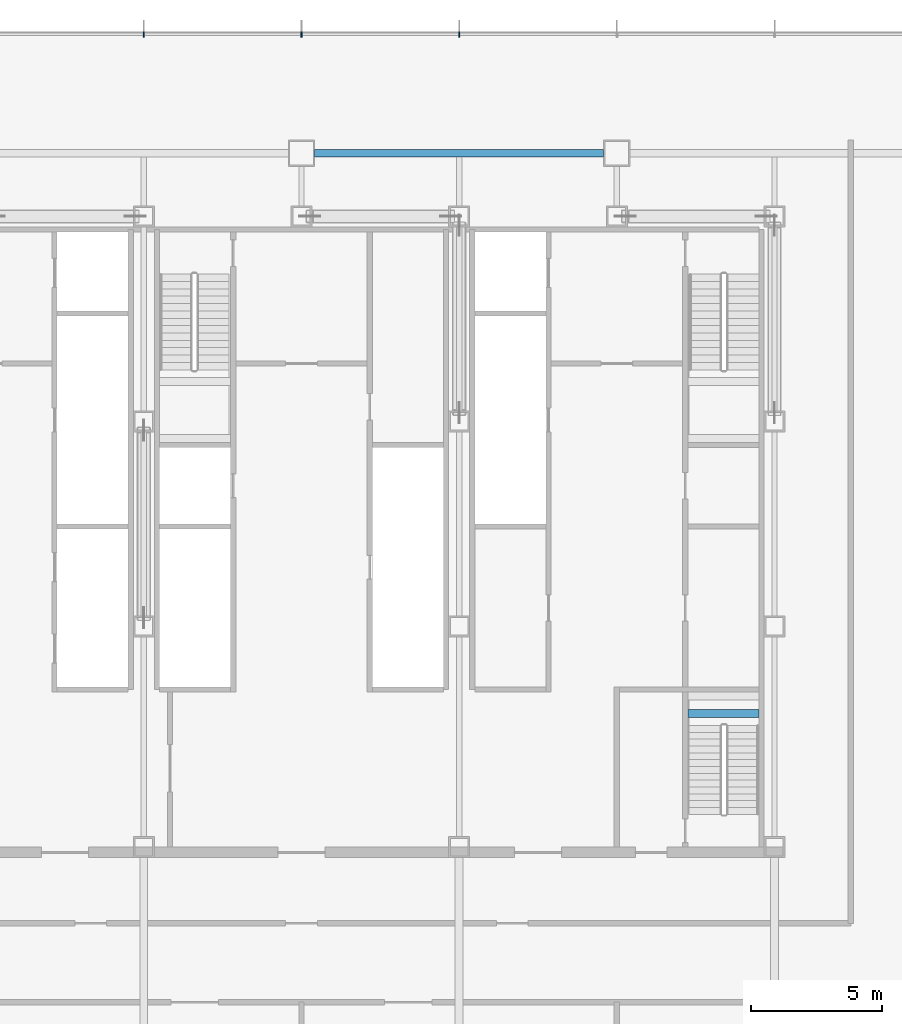
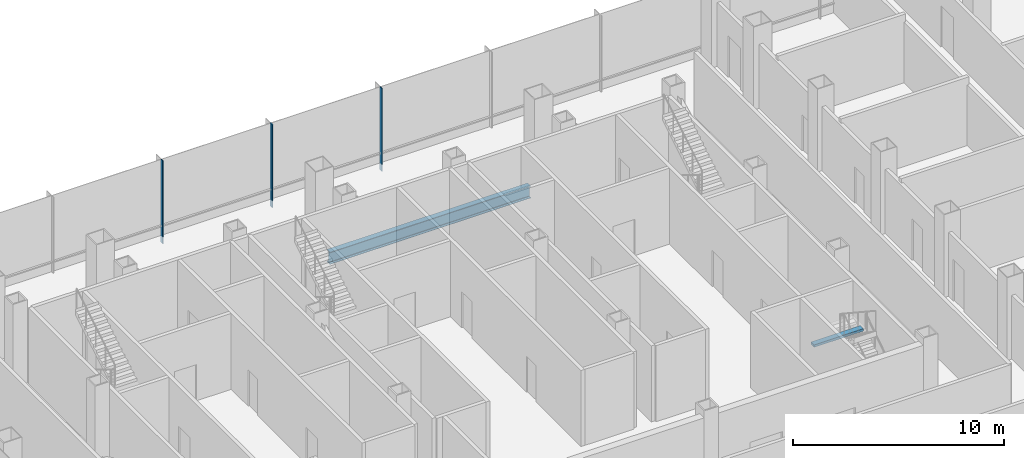
# One storey, part 14 of 33: 3 members, 2 beams, 1 element without a shape of its own.
"""IFC4 building model written with IfcOpenShell, lengths in metres."""

import ifcopenshell
import ifcopenshell.guid

model = None  # the IFC model being written
_history = None  # IfcOwnerHistory: only IFC2X3 demands one
_inside = {}  # id of a spatial element -> (the spatial element, [elements in it])
_under = {}  # id of a project, library or spatial element -> (it, [spatial elements below it])
_declared = {}  # id of a project -> (the project, [libraries it declares])
_typed = {}  # id of a type object -> (the type object, [elements of that type])
_made_of = {}  # id of a material, layer set ... -> (it, [elements and type objects made of it])


def new_model(schema):
    """Start an empty IFC model of exactly this schema.

    Asked for "IFC4X3", IfcOpenShell would pick the latest addendum, in which some entities
    have other attributes; the version numbers below select the first issue.
    IFC2X3 requires an IfcOwnerHistory on every rooted entity: one is made here for all.
    """
    global model, _history
    if schema == "IFC4X3":
        model = ifcopenshell.file(schema_version=(4, 3, 0, 0))
    else:
        model = ifcopenshell.file(schema=schema)
    _inside.clear()
    _under.clear()
    _declared.clear()
    _typed.clear()
    _made_of.clear()
    _history = None
    if model.schema == "IFC2X3":
        org = make("IfcOrganization", Name="unknown")
        user = make(
            "IfcPersonAndOrganization",
            ThePerson=make("IfcPerson", FamilyName="unknown"),
            TheOrganization=org,
        )
        app = make(
            "IfcApplication",
            ApplicationDeveloper=org,
            Version="unknown",
            ApplicationFullName="unknown",
            ApplicationIdentifier="unknown",
        )
        _history = make(
            "IfcOwnerHistory",
            OwningUser=user,
            OwningApplication=app,
            ChangeAction="ADDED",
            CreationDate=0,
        )
    return model


def make(cls, **values):
    """One entity of the class cls with the attributes given. An attribute that is None is left unset."""
    return model.create_entity(
        cls, **{name: value for name, value in values.items() if value is not None}
    )


def rooted(cls, **values):
    """An entity with a GlobalId (a new one), such as an element, a storey or a relation."""
    return make(cls, GlobalId=ifcopenshell.guid.new(), OwnerHistory=_history, **values)


def si_unit(unit_type, name, prefix=None):
    """IfcSIUnit, for example si_unit("LENGTHUNIT", "METRE", prefix="MILLI")."""
    return make("IfcSIUnit", UnitType=unit_type, Prefix=prefix, Name=name)


def assignment(units):
    """IfcUnitAssignment: the units of a project."""
    return None if units is None else make("IfcUnitAssignment", Units=units)


def point(xyz):
    """IfcCartesianPoint."""
    return None if xyz is None else make("IfcCartesianPoint", Coordinates=xyz)


def direction(xyz):
    """IfcDirection."""
    return None if xyz is None else make("IfcDirection", DirectionRatios=xyz)


def frame(location, z_axis=None, x_axis=None):
    """IfcAxis2Placement3D, a coordinate frame: its origin and axes. An axis left out is left unset."""
    return make(
        "IfcAxis2Placement3D",
        Location=point(location),
        Axis=direction(z_axis),
        RefDirection=direction(x_axis),
    )


def frame_2d(location, x_axis=None):
    """IfcAxis2Placement2D, a coordinate frame in the plane: its origin and x axis."""
    return make(
        "IfcAxis2Placement2D", Location=point(location), RefDirection=direction(x_axis)
    )


def origin():
    """The frame at (0, 0, 0) with its axes left unset."""
    return frame((0.0, 0.0, 0.0))


def origin_2d():
    """The frame at (0, 0) in the plane with its x axis left unset."""
    return frame_2d((0.0, 0.0))


def place(relative_to, where):
    """IfcLocalPlacement: puts the frame where relative to a parent placement (None: the world)."""
    return make(
        "IfcLocalPlacement", PlacementRelTo=relative_to, RelativePlacement=where
    )


def context(
    kind, dimensions, precision=None, world=None, true_north=None, identifier=None
):
    """IfcGeometricRepresentationContext, for example the 3D "Model" context."""
    return make(
        "IfcGeometricRepresentationContext",
        ContextIdentifier=identifier,
        ContextType=kind,
        CoordinateSpaceDimension=dimensions,
        Precision=precision,
        WorldCoordinateSystem=world,
        TrueNorth=true_north,
    )


def subcontext(parent, identifier, kind, view, scale=None):
    """IfcGeometricRepresentationSubContext, for example "Body" below "Model"."""
    return make(
        "IfcGeometricRepresentationSubContext",
        ContextIdentifier=identifier,
        ContextType=kind,
        ParentContext=parent,
        TargetScale=scale,
        TargetView=view,
    )


def project(units=None, contexts=None):
    """IfcProject with its units and contexts."""
    return rooted(
        "IfcProject",
        Name="project",
        RepresentationContexts=contexts,
        UnitsInContext=assignment(units),
    )


def spatial(cls, under=None, at=None, **own):
    """A site, building, storey or space (cls), placed at a placement, below another one or the project."""
    s = rooted(cls, ObjectPlacement=at, **own)
    if under is not None:
        _under.setdefault(under.id(), (under, []))[1].append(s)
    return s


def profile(cls, at=None, kind="AREA", **sizes):
    """A parametric profile (cls). Its sizes go by their IFC names, for example OverallWidth=200.0."""
    return make(cls, ProfileType=kind, Position=at, **sizes)


def rectangle(**sizes):
    """IfcRectangleProfileDef."""
    return profile("IfcRectangleProfileDef", **sizes)


def i_section(**sizes):
    """IfcIShapeProfileDef."""
    return profile("IfcIShapeProfileDef", **sizes)


def extrude(swept, where, along, depth):
    """IfcExtrudedAreaSolid: the profile swept, set in the frame where, extruded along a direction by depth."""
    return make(
        "IfcExtrudedAreaSolid",
        SweptArea=swept,
        Position=where,
        ExtrudedDirection=direction(along),
        Depth=depth,
    )


def shape(context_of_items, identifier, shape_type, items):
    """IfcShapeRepresentation: the items that make up one representation, for example the "Body"."""
    return make(
        "IfcShapeRepresentation",
        ContextOfItems=context_of_items,
        RepresentationIdentifier=identifier,
        RepresentationType=shape_type,
        Items=items,
    )


def material(Name=None, Category=None):
    """IfcMaterial."""
    return make("IfcMaterial", Name=Name, Category=Category)


def material_profile(
    of_material, cross_section, Name=None, Category=None, Priority=None
):
    """IfcMaterialProfile: a cross section and its material."""
    return make(
        "IfcMaterialProfile",
        Name=Name,
        Material=of_material,
        Profile=cross_section,
        Priority=Priority,
        Category=Category,
    )


def profile_set(profiles, Name=None, composite=None):
    """IfcMaterialProfileSet."""
    return make(
        "IfcMaterialProfileSet",
        Name=Name,
        MaterialProfiles=profiles,
        CompositeProfile=composite,
    )


def made_of(thing, what):
    """Note that an element or type object is made of a material, layer set ...; save() writes the relation."""
    if what is not None:
        _made_of.setdefault(what.id(), (what, []))[1].append(thing)
    return thing


def type_object(cls, material=None, **own):
    """A type object (cls), such as IfcWallType, which elements share."""
    return made_of(rooted(cls, **own), material)


def element(
    cls,
    number,
    at=None,
    inside=None,
    cuts=None,
    type_object=None,
    material=None,
    context=None,
    identifier="Body",
    shape_type=None,
    held_by="IfcProductDefinitionShape",
    body=None,
    shapes=None,
    **own,
):
    """One element of the class cls, such as IfcWall. Its Tag is "e" and its number.

    at: its placement. inside: the storey or other place that contains it. cuts: it is an
    opening in that element (IfcRelVoidsElement). A single representation is given by context,
    identifier, shape_type and body (its items); several are given by shapes. held_by: the class
    of the entity that holds the representations. save() writes the other relations.
    """
    e = rooted(cls, Tag="e%d" % number, ObjectPlacement=at, **own)
    if body is not None:
        shapes = [shape(context, identifier, shape_type, body)]
    if shapes is not None:
        e.Representation = make(held_by, Representations=shapes)
    if inside is not None:
        _inside.setdefault(inside.id(), (inside, []))[1].append(e)
    if cuts is not None:
        rooted(
            "IfcRelVoidsElement", RelatingBuildingElement=cuts, RelatedOpeningElement=e
        )
    if type_object is not None:
        _typed.setdefault(type_object.id(), (type_object, []))[1].append(e)
    return made_of(e, material)


def aggregate(whole, parts):
    """IfcRelAggregates: a whole, such as a stair, and the parts it consists of."""
    return rooted("IfcRelAggregates", RelatingObject=whole, RelatedObjects=parts)


def save(model, path):
    """Write the relations noted so far, then the file.

    IfcRelAggregates (storeys below a building ...), IfcRelContainedInSpatialStructure (elements
    in a storey), IfcRelDefinesByType, IfcRelAssociatesMaterial and IfcRelDeclares: one each for
    every whole, place, type object, material and project.
    """
    for whole, parts in _under.values():
        aggregate(whole, parts)
    for where, things in _inside.values():
        rooted(
            "IfcRelContainedInSpatialStructure",
            RelatedElements=things,
            RelatingStructure=where,
        )
    for kind, things in _typed.values():
        rooted("IfcRelDefinesByType", RelatedObjects=things, RelatingType=kind)
    for what, things in _made_of.values():
        rooted("IfcRelAssociatesMaterial", RelatedObjects=things, RelatingMaterial=what)
    for by, libraries in _declared.values():
        rooted("IfcRelDeclares", RelatingContext=by, RelatedDefinitions=libraries)
    model.write(path)


model = new_model("IFC4")

# Units and contexts
model_context = context("Model", 3, precision=1e-05, world=origin(), true_north=direction((0.0, 1.0)))
body_context = subcontext(model_context, "Body", "Model", "MODEL_VIEW")
ifc_project = project(units=[si_unit("LENGTHUNIT", "METRE"), si_unit("AREAUNIT", "SQUARE_METRE"), si_unit("VOLUMEUNIT", "CUBIC_METRE"), si_unit("PLANEANGLEUNIT", "RADIAN"), si_unit("MASSUNIT", "GRAM", prefix="KILO")], contexts=[model_context])

# Site, building, storey
site_placement = place(None, origin())
site = spatial("IfcSite", under=ifc_project, at=site_placement, CompositionType="ELEMENT")
building_placement = place(site_placement, origin())
building = spatial("IfcBuilding", under=site, at=building_placement, Name="Sorahane Residences", CompositionType="ELEMENT")
storey_placement = place(building_placement, frame((0.0, 0.0, 34.800048828125)))
storey = spatial("IfcBuildingStorey", under=building, at=storey_placement, Name="L05", CompositionType="ELEMENT", Elevation=34.800048828125)

# Curtain wall, members
ifc_material_1 = material(Name="Dark low-e glass and black anodised aluminium", Category="aluminium")
curtain_wall_type = type_object("IfcCurtainWallType", Name="Curtain wall CW-3 Podium unitised wall", PredefinedType="NOTDEFINED", material=ifc_material_1)
curtain_wall_placement = place(storey_placement, origin())
curtain_wall = element("IfcCurtainWall", 1, at=curtain_wall_placement, inside=storey, type_object=curtain_wall_type, Name="CW-3 curtain wall L05 N1", PredefinedType="NOTDEFINED")
ifc_material_2 = material(Name="Black anodised aluminium", Category="aluminium")
ifc_material_profile_1 = material_profile(ifc_material_2, rectangle(XDim=0.199951171875, YDim=0.050048828125, at=origin_2d()), Name="Curtain wall mullion CW-3 black anodised aluminium 50x200")
ifc_profile_set_1 = profile_set([ifc_material_profile_1], Name="Black anodised aluminium")
member_type = type_object("IfcMemberType", Name="Curtain wall mullion CW-3 black anodised aluminium 50x200", PredefinedType="MULLION", material=ifc_profile_set_1)
member_1_placement = place(storey_placement, frame((30.0, 52.52001953125, -0.400146484375), z_axis=(0.0, 0.0, 1.0), x_axis=(0.0, 1.0, 0.0)))
member_1 = element("IfcMember", 2, at=member_1_placement, type_object=member_type, Name="CW-3 mullion L05 N1.9", PredefinedType="MULLION", context=body_context, shape_type="SweptSolid", body=[
    extrude(rectangle(XDim=0.199951171875, YDim=0.050048828125, at=origin_2d()), origin(), (0.0, 0.0, 1.0), 4.800048828125),
])
member_2_placement = place(storey_placement, frame((24.0, 52.52001953125, -0.400146484375), z_axis=(0.0, 0.0, 1.0), x_axis=(0.0, 1.0, 0.0)))
member_2 = element("IfcMember", 3, at=member_2_placement, type_object=member_type, Name="CW-3 mullion L05 N1.10", PredefinedType="MULLION", context=body_context, shape_type="SweptSolid", body=[
    extrude(rectangle(XDim=0.199951171875, YDim=0.050048828125, at=origin_2d()), origin(), (0.0, 0.0, 1.0), 4.800048828125),
])
member_3_placement = place(storey_placement, frame((18.0, 52.52001953125, -0.400146484375), z_axis=(0.0, 0.0, 1.0), x_axis=(0.0, 1.0, 0.0)))
member_3 = element("IfcMember", 4, at=member_3_placement, type_object=member_type, Name="CW-3 mullion L05 N1.11", PredefinedType="MULLION", context=body_context, shape_type="SweptSolid", body=[
    extrude(rectangle(XDim=0.199951171875, YDim=0.050048828125, at=origin_2d()), origin(), (0.0, 0.0, 1.0), 4.800048828125),
])
aggregate(curtain_wall, [member_1, member_2, member_3])

# Beams
ifc_material_3 = material(Name="Concrete C40", Category="concrete")
ifc_material_profile_2 = material_profile(ifc_material_3, rectangle(XDim=0.300048828125, YDim=0.139892578125, at=origin_2d()), Name="300x140")
ifc_profile_set_2 = profile_set([ifc_material_profile_2], Name="Concrete C40")
beam_type_1 = type_object("IfcBeamType", Name="RC landing beam 300 x 140 Concrete C40", PredefinedType="BEAM", material=ifc_profile_set_2)
beam_1_placement = place(storey_placement, frame((38.699951171875, 26.679931640625, 2.1298828125), z_axis=(1.0, 0.0, 0.0), x_axis=(0.0, 1.0, 0.0)))
element("IfcBeam", 5, at=beam_1_placement, inside=storey, type_object=beam_type_1, Name="Landing beam", PredefinedType="BEAM", context=body_context, shape_type="SweptSolid", body=[
    extrude(rectangle(XDim=0.300048828125, YDim=0.139892578125, at=origin_2d()), origin(), (0.0, 0.0, 1.0), 2.699951171875),
])
ifc_material_4 = material(Name="Steel Q355B", Category="steel")
ifc_material_profile_3 = material_profile(ifc_material_4, i_section(OverallWidth=0.300048828125, OverallDepth=0.699951171875, WebThickness=0.012939453125, FlangeThickness=0.02392578125, FilletRadius=0.028076171875, at=origin_2d()), Name="HN 700x300x13x24")
ifc_profile_set_3 = profile_set([ifc_material_profile_3], Name="Steel Q355B")
beam_type_2 = type_object("IfcBeamType", Name="Steel floor beam HN 700x300x13x24 Q355B", PredefinedType="BEAM", material=ifc_profile_set_3)
beam_2_placement = place(storey_placement, frame((24.5, 48.0, -0.75), z_axis=(1.0, 0.0, 0.0), x_axis=(0.0, 1.0, 0.0)))
element("IfcBeam", 6, at=beam_2_placement, inside=storey, type_object=beam_type_2, Name="Beam L05 020", PredefinedType="BEAM", context=body_context, shape_type="SweptSolid", body=[
    extrude(i_section(OverallWidth=0.300048828125, OverallDepth=0.699951171875, WebThickness=0.012939453125, FlangeThickness=0.02392578125, FilletRadius=0.028076171875, at=origin_2d()), origin(), (0.0, 0.0, 1.0), 11.0),
])

save(model, "model.ifc")
